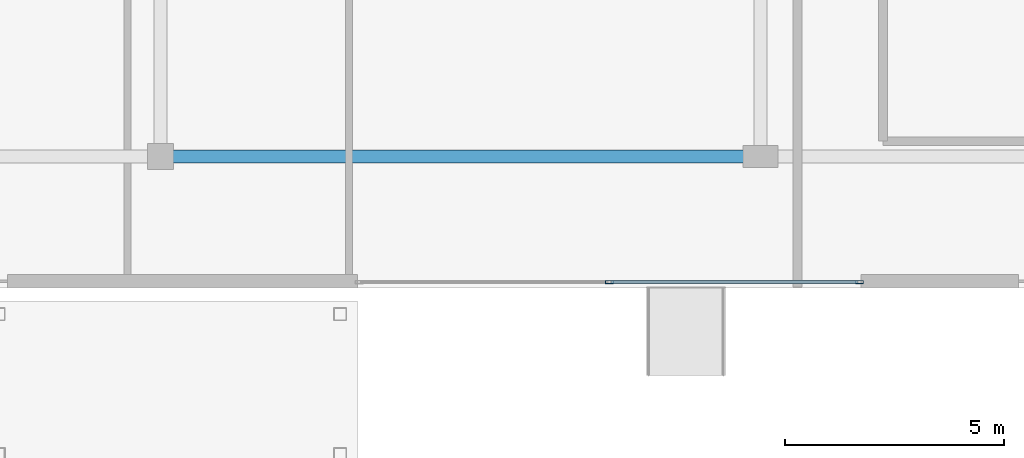
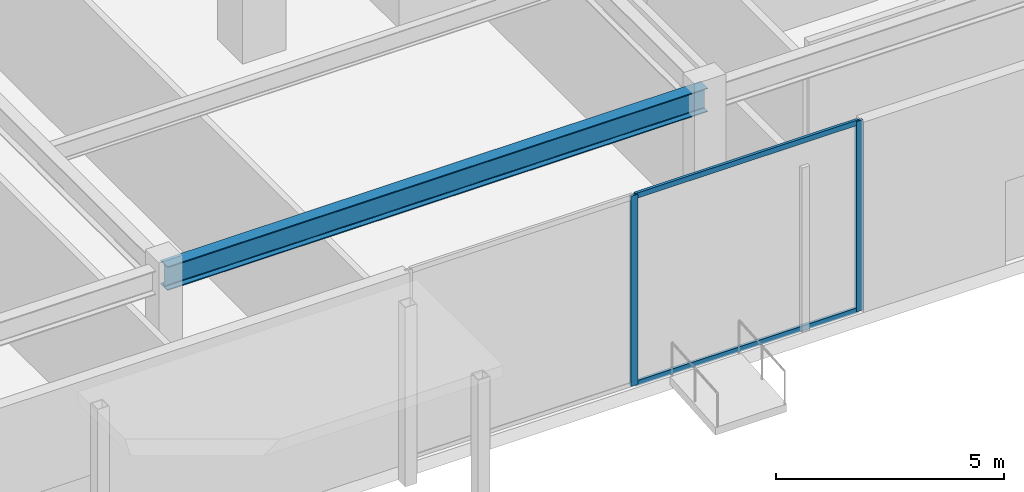
# One storey, part 8 of 28: 4 members, 1 beam, 1 element without a shape of its own.
"""IFC4 building model written with IfcOpenShell, lengths in metres."""

from ifc_helpers import new_model, si_unit, direction, frame, origin, origin_2d, place, context, subcontext, project, spatial, hollow_rectangle, i_section, extrude, source, transform, mapped, material, material_profile, profile_set, type_object, type_shapes, element, aggregate, save


model = new_model("IFC4")

# Units and contexts
model_context = context("Model", 3, precision=1e-05, world=origin(), true_north=direction((0.0, 1.0)))
body_context = subcontext(model_context, "Body", "Model", "MODEL_VIEW")
ifc_project = project(units=[si_unit("LENGTHUNIT", "METRE"), si_unit("AREAUNIT", "SQUARE_METRE"), si_unit("VOLUMEUNIT", "CUBIC_METRE"), si_unit("PLANEANGLEUNIT", "RADIAN"), si_unit("MASSUNIT", "GRAM", prefix="KILO")], contexts=[model_context])

# Site, building, storey
site_placement = place(None, origin())
site = spatial("IfcSite", under=ifc_project, at=site_placement, CompositionType="ELEMENT")
building_placement = place(site_placement, origin())
building = spatial("IfcBuilding", under=site, at=building_placement, Name="Krantzveldt Concourse Tower", CompositionType="ELEMENT")
storey_placement = place(building_placement, origin())
storey = spatial("IfcBuildingStorey", under=building, at=storey_placement, Name="L00", CompositionType="ELEMENT", Elevation=0.0)

# Beam
ifc_material_1 = material(Name="Steel S355JR", Category="steel")
ifc_material_profile_1 = material_profile(ifc_material_1, i_section(OverallWidth=0.300048828125, OverallDepth=0.639892578125, WebThickness=0.013427734375, FlangeThickness=0.02587890625, FilletRadius=0.027099609375, at=origin_2d()), Name="Steel S355JR", Category="steel")
ifc_profile_set_1 = profile_set([ifc_material_profile_1], Name="Steel S355JR - HEA 650")
beam_type = type_object("IfcBeamType", Name="BM-B-HEA650", PredefinedType="BEAM", material=ifc_profile_set_1)
shared_shape_1 = source(origin(), body_context, "Body", "SweptSolid", [
    extrude(i_section(OverallWidth=0.300048828125, OverallDepth=0.639892578125, WebThickness=0.013427734375, FlangeThickness=0.02587890625, FilletRadius=0.027099609375, at=origin_2d()), origin(), (0.0, 0.0, 1.0), 13.699951171875),
])
type_shapes(beam_type, [shared_shape_1])
beam_placement = place(storey_placement, frame((11.5, 3.300048828125, 4.780029296875), z_axis=(1.0, 0.0, 0.0), x_axis=(0.0, 1.0, 0.0)))
element("IfcBeam", 1, at=beam_placement, inside=storey, type_object=beam_type, Name="L00 Podium Primary Girder BG-SN1", PredefinedType="BEAM", context=body_context, shape_type="MappedRepresentation", body=[
    mapped(shared_shape_1, transform((0.0, 0.0, 0.0), x_axis=(1.0, 0.0, 0.0), y_axis=(0.0, 1.0, 0.0), z_axis=(0.0, 0.0, 1.0), scale=1.0)),
])

# Curtain wall, members
ifc_material_2 = material(Name="Anodised aluminium 6063-T6", Category="aluminium")
curtain_wall_type = type_object("IfcCurtainWallType", Name="CW1", PredefinedType="USERDEFINED", material=ifc_material_2)
curtain_wall_placement = place(storey_placement, origin())
curtain_wall = element("IfcCurtainWall", 2, at=curtain_wall_placement, inside=storey, type_object=curtain_wall_type, Name="CW-L00-SC1", ObjectType="UNITISED CURTAIN WALL", PredefinedType="USERDEFINED")
ifc_material_profile_2 = material_profile(ifc_material_2, hollow_rectangle(XDim=0.070068359375, YDim=0.179931640625, WallThickness=0.0048828125, at=origin_2d()), Name="Anodised aluminium 6063-T6", Category="aluminium")
ifc_profile_set_2 = profile_set([ifc_material_profile_2], Name="Anodised aluminium 6063-T6 - ALU-MULL 180x70x5")
member_type_1 = type_object("IfcMemberType", Name="CW-MUL-180", PredefinedType="MULLION", material=ifc_profile_set_2)
shared_shape_2 = source(origin(), body_context, "Body", "SweptSolid", [
    extrude(hollow_rectangle(XDim=0.070068359375, YDim=0.179931640625, WallThickness=0.0048828125, at=origin_2d()), origin(), (0.0, 0.0, 1.0), 5.10009765625),
])
type_shapes(member_type_1, [shared_shape_2])
member_1_placement = place(storey_placement, frame((21.75, 0.429931640625, 0.0), z_axis=(0.0, 0.0, 1.0), x_axis=(0.0, 1.0, 0.0)))
member_1 = element("IfcMember", 3, at=member_1_placement, type_object=member_type_1, Name="CW-POD mullion 2", PredefinedType="MULLION", context=body_context, shape_type="MappedRepresentation", body=[
    mapped(shared_shape_2, transform((0.0, 0.0, 0.0), x_axis=(1.0, 0.0, 0.0), y_axis=(0.0, 1.0, 0.0), z_axis=(0.0, 0.0, 1.0), scale=1.0)),
])
member_2_placement = place(storey_placement, frame((27.465087890625, 0.429931640625, 0.0), z_axis=(0.0, 0.0, 1.0), x_axis=(0.0, 1.0, 0.0)))
member_2 = element("IfcMember", 4, at=member_2_placement, type_object=member_type_1, Name="CW-POD mullion 3", PredefinedType="MULLION", context=body_context, shape_type="MappedRepresentation", body=[
    mapped(shared_shape_2, transform((0.0, 0.0, 0.0), x_axis=(1.0, 0.0, 0.0), y_axis=(0.0, 1.0, 0.0), z_axis=(0.0, 0.0, 1.0), scale=1.0)),
])
ifc_material_profile_3 = material_profile(ifc_material_2, hollow_rectangle(XDim=0.070068359375, YDim=0.139892578125, WallThickness=0.0048828125, at=origin_2d()), Name="Anodised aluminium 6063-T6", Category="aluminium")
ifc_profile_set_3 = profile_set([ifc_material_profile_3], Name="Anodised aluminium 6063-T6 - ALU-TRAN 140x70x5")
member_type_2 = type_object("IfcMemberType", Name="CW-TRN-150", PredefinedType="USERDEFINED", material=ifc_profile_set_3)
shared_shape_3 = source(origin(), body_context, "Body", "SweptSolid", [
    extrude(hollow_rectangle(XDim=0.070068359375, YDim=0.139892578125, WallThickness=0.0048828125, at=origin_2d()), origin(), (0.0, 0.0, 1.0), 5.64501953125),
])
type_shapes(member_type_2, [shared_shape_3])
member_3_placement = place(storey_placement, frame((21.784912109375, 0.429931640625, 0.034912109375), z_axis=(1.0, 0.0, 0.0), x_axis=(0.0, 1.0, 0.0)))
member_3 = element("IfcMember", 5, at=member_3_placement, type_object=member_type_2, Name="CW-POD transom 2.1", ObjectType="TRANSOM", PredefinedType="USERDEFINED", context=body_context, shape_type="MappedRepresentation", body=[
    mapped(shared_shape_3, transform((0.0, 0.0, 0.0), x_axis=(1.0, 0.0, 0.0), y_axis=(0.0, 1.0, 0.0), z_axis=(0.0, 0.0, 1.0), scale=1.0)),
])
member_4_placement = place(storey_placement, frame((21.784912109375, 0.429931640625, 5.06494140625), z_axis=(1.0, 0.0, 0.0), x_axis=(0.0, 1.0, 0.0)))
member_4 = element("IfcMember", 6, at=member_4_placement, type_object=member_type_2, Name="CW-POD transom 2.2", ObjectType="TRANSOM", PredefinedType="USERDEFINED", context=body_context, shape_type="MappedRepresentation", body=[
    mapped(shared_shape_3, transform((0.0, 0.0, 0.0), x_axis=(1.0, 0.0, 0.0), y_axis=(0.0, 1.0, 0.0), z_axis=(0.0, 0.0, 1.0), scale=1.0)),
])
aggregate(curtain_wall, [member_1, member_2, member_3, member_4])

save(model, "model.ifc")
